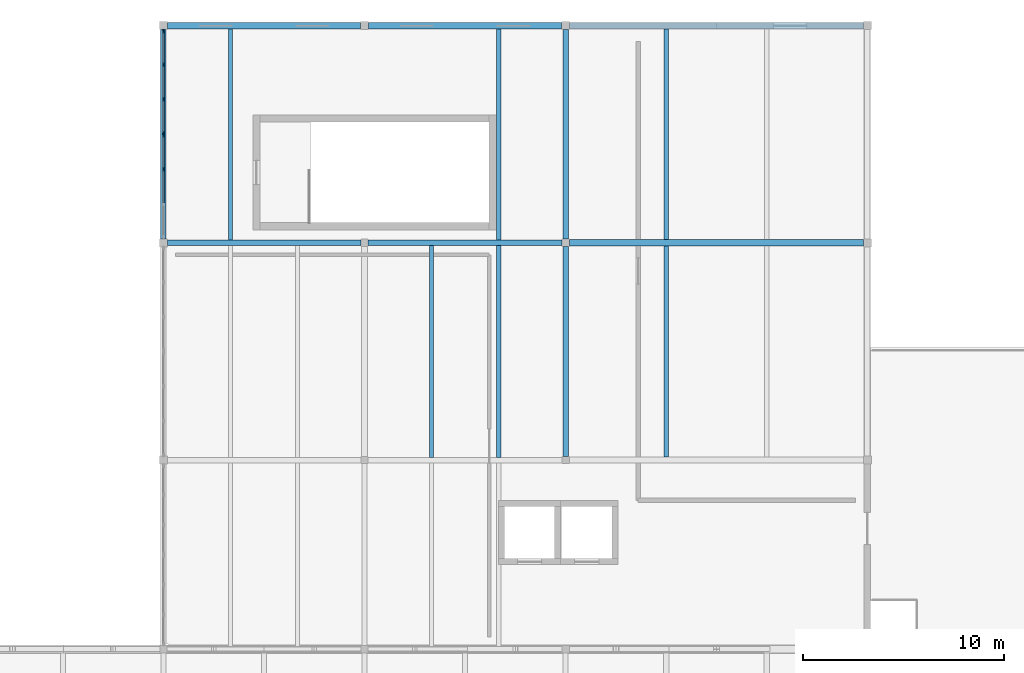
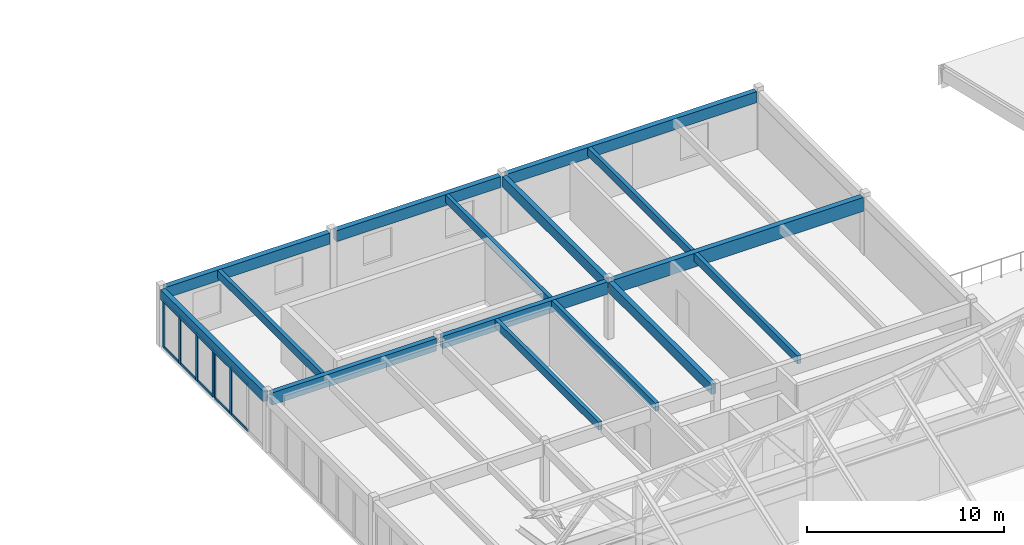
# One storey, part 15 of 40: 16 members, 15 beams, 2 elements without a shape of their own.
"""IFC4 building model written with IfcOpenShell, lengths in metres."""

import ifcopenshell
import ifcopenshell.guid

model = None  # the IFC model being written
_history = None  # IfcOwnerHistory: only IFC2X3 demands one
_inside = {}  # id of a spatial element -> (the spatial element, [elements in it])
_under = {}  # id of a project, library or spatial element -> (it, [spatial elements below it])
_declared = {}  # id of a project -> (the project, [libraries it declares])
_typed = {}  # id of a type object -> (the type object, [elements of that type])
_made_of = {}  # id of a material, layer set ... -> (it, [elements and type objects made of it])


def new_model(schema):
    """Start an empty IFC model of exactly this schema.

    Asked for "IFC4X3", IfcOpenShell would pick the latest addendum, in which some entities
    have other attributes; the version numbers below select the first issue.
    IFC2X3 requires an IfcOwnerHistory on every rooted entity: one is made here for all.
    """
    global model, _history
    if schema == "IFC4X3":
        model = ifcopenshell.file(schema_version=(4, 3, 0, 0))
    else:
        model = ifcopenshell.file(schema=schema)
    _inside.clear()
    _under.clear()
    _declared.clear()
    _typed.clear()
    _made_of.clear()
    _history = None
    if model.schema == "IFC2X3":
        org = make("IfcOrganization", Name="unknown")
        user = make(
            "IfcPersonAndOrganization",
            ThePerson=make("IfcPerson", FamilyName="unknown"),
            TheOrganization=org,
        )
        app = make(
            "IfcApplication",
            ApplicationDeveloper=org,
            Version="unknown",
            ApplicationFullName="unknown",
            ApplicationIdentifier="unknown",
        )
        _history = make(
            "IfcOwnerHistory",
            OwningUser=user,
            OwningApplication=app,
            ChangeAction="ADDED",
            CreationDate=0,
        )
    return model


def make(cls, **values):
    """One entity of the class cls with the attributes given. An attribute that is None is left unset."""
    return model.create_entity(
        cls, **{name: value for name, value in values.items() if value is not None}
    )


def rooted(cls, **values):
    """An entity with a GlobalId (a new one), such as an element, a storey or a relation."""
    return make(cls, GlobalId=ifcopenshell.guid.new(), OwnerHistory=_history, **values)


def si_unit(unit_type, name, prefix=None):
    """IfcSIUnit, for example si_unit("LENGTHUNIT", "METRE", prefix="MILLI")."""
    return make("IfcSIUnit", UnitType=unit_type, Prefix=prefix, Name=name)


def assignment(units):
    """IfcUnitAssignment: the units of a project."""
    return None if units is None else make("IfcUnitAssignment", Units=units)


def point(xyz):
    """IfcCartesianPoint."""
    return None if xyz is None else make("IfcCartesianPoint", Coordinates=xyz)


def direction(xyz):
    """IfcDirection."""
    return None if xyz is None else make("IfcDirection", DirectionRatios=xyz)


def frame(location, z_axis=None, x_axis=None):
    """IfcAxis2Placement3D, a coordinate frame: its origin and axes. An axis left out is left unset."""
    return make(
        "IfcAxis2Placement3D",
        Location=point(location),
        Axis=direction(z_axis),
        RefDirection=direction(x_axis),
    )


def frame_2d(location, x_axis=None):
    """IfcAxis2Placement2D, a coordinate frame in the plane: its origin and x axis."""
    return make(
        "IfcAxis2Placement2D", Location=point(location), RefDirection=direction(x_axis)
    )


def origin():
    """The frame at (0, 0, 0) with its axes left unset."""
    return frame((0.0, 0.0, 0.0))


def origin_2d():
    """The frame at (0, 0) in the plane with its x axis left unset."""
    return frame_2d((0.0, 0.0))


def place(relative_to, where):
    """IfcLocalPlacement: puts the frame where relative to a parent placement (None: the world)."""
    return make(
        "IfcLocalPlacement", PlacementRelTo=relative_to, RelativePlacement=where
    )


def context(
    kind, dimensions, precision=None, world=None, true_north=None, identifier=None
):
    """IfcGeometricRepresentationContext, for example the 3D "Model" context."""
    return make(
        "IfcGeometricRepresentationContext",
        ContextIdentifier=identifier,
        ContextType=kind,
        CoordinateSpaceDimension=dimensions,
        Precision=precision,
        WorldCoordinateSystem=world,
        TrueNorth=true_north,
    )


def subcontext(parent, identifier, kind, view, scale=None):
    """IfcGeometricRepresentationSubContext, for example "Body" below "Model"."""
    return make(
        "IfcGeometricRepresentationSubContext",
        ContextIdentifier=identifier,
        ContextType=kind,
        ParentContext=parent,
        TargetScale=scale,
        TargetView=view,
    )


def project(units=None, contexts=None):
    """IfcProject with its units and contexts."""
    return rooted(
        "IfcProject",
        Name="project",
        RepresentationContexts=contexts,
        UnitsInContext=assignment(units),
    )


def spatial(cls, under=None, at=None, **own):
    """A site, building, storey or space (cls), placed at a placement, below another one or the project."""
    s = rooted(cls, ObjectPlacement=at, **own)
    if under is not None:
        _under.setdefault(under.id(), (under, []))[1].append(s)
    return s


def profile(cls, at=None, kind="AREA", **sizes):
    """A parametric profile (cls). Its sizes go by their IFC names, for example OverallWidth=200.0."""
    return make(cls, ProfileType=kind, Position=at, **sizes)


def rectangle(**sizes):
    """IfcRectangleProfileDef."""
    return profile("IfcRectangleProfileDef", **sizes)


def extrude(swept, where, along, depth):
    """IfcExtrudedAreaSolid: the profile swept, set in the frame where, extruded along a direction by depth."""
    return make(
        "IfcExtrudedAreaSolid",
        SweptArea=swept,
        Position=where,
        ExtrudedDirection=direction(along),
        Depth=depth,
    )


def shape(context_of_items, identifier, shape_type, items):
    """IfcShapeRepresentation: the items that make up one representation, for example the "Body"."""
    return make(
        "IfcShapeRepresentation",
        ContextOfItems=context_of_items,
        RepresentationIdentifier=identifier,
        RepresentationType=shape_type,
        Items=items,
    )


def material(Name=None, Category=None):
    """IfcMaterial."""
    return make("IfcMaterial", Name=Name, Category=Category)


def material_profile(
    of_material, cross_section, Name=None, Category=None, Priority=None
):
    """IfcMaterialProfile: a cross section and its material."""
    return make(
        "IfcMaterialProfile",
        Name=Name,
        Material=of_material,
        Profile=cross_section,
        Priority=Priority,
        Category=Category,
    )


def profile_set(profiles, Name=None, composite=None):
    """IfcMaterialProfileSet."""
    return make(
        "IfcMaterialProfileSet",
        Name=Name,
        MaterialProfiles=profiles,
        CompositeProfile=composite,
    )


def made_of(thing, what):
    """Note that an element or type object is made of a material, layer set ...; save() writes the relation."""
    if what is not None:
        _made_of.setdefault(what.id(), (what, []))[1].append(thing)
    return thing


def type_object(cls, material=None, **own):
    """A type object (cls), such as IfcWallType, which elements share."""
    return made_of(rooted(cls, **own), material)


def element(
    cls,
    number,
    at=None,
    inside=None,
    cuts=None,
    type_object=None,
    material=None,
    context=None,
    identifier="Body",
    shape_type=None,
    held_by="IfcProductDefinitionShape",
    body=None,
    shapes=None,
    **own,
):
    """One element of the class cls, such as IfcWall. Its Tag is "e" and its number.

    at: its placement. inside: the storey or other place that contains it. cuts: it is an
    opening in that element (IfcRelVoidsElement). A single representation is given by context,
    identifier, shape_type and body (its items); several are given by shapes. held_by: the class
    of the entity that holds the representations. save() writes the other relations.
    """
    e = rooted(cls, Tag="e%d" % number, ObjectPlacement=at, **own)
    if body is not None:
        shapes = [shape(context, identifier, shape_type, body)]
    if shapes is not None:
        e.Representation = make(held_by, Representations=shapes)
    if inside is not None:
        _inside.setdefault(inside.id(), (inside, []))[1].append(e)
    if cuts is not None:
        rooted(
            "IfcRelVoidsElement", RelatingBuildingElement=cuts, RelatedOpeningElement=e
        )
    if type_object is not None:
        _typed.setdefault(type_object.id(), (type_object, []))[1].append(e)
    return made_of(e, material)


def aggregate(whole, parts):
    """IfcRelAggregates: a whole, such as a stair, and the parts it consists of."""
    return rooted("IfcRelAggregates", RelatingObject=whole, RelatedObjects=parts)


def save(model, path):
    """Write the relations noted so far, then the file.

    IfcRelAggregates (storeys below a building ...), IfcRelContainedInSpatialStructure (elements
    in a storey), IfcRelDefinesByType, IfcRelAssociatesMaterial and IfcRelDeclares: one each for
    every whole, place, type object, material and project.
    """
    for whole, parts in _under.values():
        aggregate(whole, parts)
    for where, things in _inside.values():
        rooted(
            "IfcRelContainedInSpatialStructure",
            RelatedElements=things,
            RelatingStructure=where,
        )
    for kind, things in _typed.values():
        rooted("IfcRelDefinesByType", RelatedObjects=things, RelatingType=kind)
    for what, things in _made_of.values():
        rooted("IfcRelAssociatesMaterial", RelatedObjects=things, RelatingMaterial=what)
    for by, libraries in _declared.values():
        rooted("IfcRelDeclares", RelatingContext=by, RelatedDefinitions=libraries)
    model.write(path)


model = new_model("IFC4")

# Units and contexts
model_context = context("Model", 3, precision=1e-05, world=origin(), true_north=direction((0.0, 1.0)))
body_context = subcontext(model_context, "Body", "Model", "MODEL_VIEW")
ifc_project = project(units=[si_unit("LENGTHUNIT", "METRE"), si_unit("AREAUNIT", "SQUARE_METRE"), si_unit("VOLUMEUNIT", "CUBIC_METRE"), si_unit("PLANEANGLEUNIT", "RADIAN"), si_unit("MASSUNIT", "GRAM", prefix="KILO")], contexts=[model_context])

# Site, building, storey
site_placement = place(None, origin())
site = spatial("IfcSite", under=ifc_project, at=site_placement, CompositionType="ELEMENT")
building_placement = place(site_placement, origin())
building = spatial("IfcBuilding", under=site, at=building_placement, Name="Veldera Park Congress Hotel", CompositionType="ELEMENT")
storey_placement = place(building_placement, frame((0.0, 0.0, 16.199951171875)))
storey = spatial("IfcBuildingStorey", under=building, at=storey_placement, Name="L03", CompositionType="ELEMENT", Elevation=16.199951171875)

# Beams
ifc_material_1 = material(Name="Glulam GL28h (NDS 24F-V4)", Category="wood")
ifc_material_profile_1 = material_profile(ifc_material_1, rectangle(XDim=0.280029296875, YDim=0.639892578125, at=origin_2d()), Name="GL28h 280x640")
ifc_profile_set_1 = profile_set([ifc_material_profile_1], Name="Glulam GL28h (NDS 24F-V4)")
beam_type_1 = type_object("IfcBeamType", Name="BM-GL640", PredefinedType="BEAM", material=ifc_profile_set_1)
beam_1_placement = place(storey_placement, frame((-47.39990234375, 47.39501953125, 3.239990234375), z_axis=(0.0, 1.0, 0.0), x_axis=(-1.0, 0.0, 0.0)))
element("IfcBeam", 1, at=beam_1_placement, inside=storey, type_object=beam_type_1, Name="L03 Girder BM-GL640 1141", PredefinedType="BEAM", context=body_context, shape_type="SweptSolid", body=[
    extrude(rectangle(XDim=0.280029296875, YDim=0.639892578125, at=origin_2d()), origin(), (0.0, 0.0, 1.0), 10.409912109375),
])
beam_2_placement = place(storey_placement, frame((-27.39990234375, 36.580078125, 3.239990234375), z_axis=(0.0, 1.0, 0.0), x_axis=(-1.0, 0.0, 0.0)))
element("IfcBeam", 2, at=beam_2_placement, inside=storey, type_object=beam_type_1, Name="L03 Girder BM-GL640 1144", PredefinedType="BEAM", context=body_context, shape_type="SweptSolid", body=[
    extrude(rectangle(XDim=0.280029296875, YDim=0.639892578125, at=origin_2d()), origin(), (0.0, 0.0, 1.0), 10.43994140625),
])
beam_3_placement = place(storey_placement, frame((-27.39990234375, 47.3798828125, 3.239990234375), z_axis=(0.0, 1.0, 0.0), x_axis=(-1.0, 0.0, 0.0)))
element("IfcBeam", 3, at=beam_3_placement, inside=storey, type_object=beam_type_1, Name="L03 Girder BM-GL640 1145", PredefinedType="BEAM", context=body_context, shape_type="SweptSolid", body=[
    extrude(rectangle(XDim=0.280029296875, YDim=0.639892578125, at=origin_2d()), origin(), (0.0, 0.0, 1.0), 10.425048828125),
])
ifc_material_profile_2 = material_profile(ifc_material_1, rectangle(XDim=0.31494140625, YDim=0.679931640625, at=origin_2d()), Name="GL28h 315x680")
ifc_profile_set_2 = profile_set([ifc_material_profile_2], Name="Glulam GL28h (NDS 24F-V4)")
beam_type_2 = type_object("IfcBeamType", Name="BM-GL640E", PredefinedType="BEAM", material=ifc_profile_set_2)
for number, where, z_axis, x_axis, name in (
    (4, (-47.205078125, 58.0, 3.219970703125), (1.0, 0.0, 0.0), (0.0, 1.0, 0.0), "L03 Girder BM-GL640E 1130"),
    (5, (-37.205078125, 58.0, 3.219970703125), (1.0, 0.0, 0.0), (0.0, 1.0, 0.0), "L03 Girder BM-GL640E 1131"),
):
    element("IfcBeam", number, at=place(storey_placement, frame(where, z_axis=z_axis, x_axis=x_axis)), inside=storey, type_object=beam_type_2, Name=name, PredefinedType="BEAM", context=body_context, shape_type="SweptSolid", body=[
        extrude(rectangle(XDim=0.31494140625, YDim=0.679931640625, at=origin_2d()), origin(), (0.0, 0.0, 1.0), 9.610107421875),
    ])
beam_4_placement = place(storey_placement, frame((-27.205078125, 58.0, 3.219970703125), z_axis=(1.0, 0.0, 0.0), x_axis=(0.0, 1.0, 0.0)))
element("IfcBeam", 6, at=beam_4_placement, inside=storey, type_object=beam_type_2, Name="L03 Girder BM-GL640E 1132", PredefinedType="BEAM", context=body_context, shape_type="SweptSolid", body=[
    extrude(rectangle(XDim=0.31494140625, YDim=0.679931640625, at=origin_2d()), origin(), (0.0, 0.0, 1.0), 14.610107421875),
])
ifc_material_profile_3 = material_profile(ifc_material_1, rectangle(XDim=0.280029296875, YDim=0.760009765625, at=origin_2d()), Name="GL28h 280x760")
ifc_profile_set_3 = profile_set([ifc_material_profile_3], Name="Glulam GL28h (NDS 24F-V4)")
beam_type_3 = type_object("IfcBeamType", Name="BM-GL760", PredefinedType="BEAM", material=ifc_profile_set_3)
beam_5_placement = place(storey_placement, frame((-47.205078125, 47.199951171875, 3.179931640625), z_axis=(1.0, 0.0, 0.0), x_axis=(0.0, 1.0, 0.0)))
element("IfcBeam", 7, at=beam_5_placement, inside=storey, type_object=beam_type_3, Name="L03 Girder BM-GL760 1123", PredefinedType="BEAM", context=body_context, shape_type="SweptSolid", body=[
    extrude(rectangle(XDim=0.280029296875, YDim=0.760009765625, at=origin_2d()), origin(), (0.0, 0.0, 1.0), 9.625),
])
beam_6_placement = place(storey_placement, frame((-37.219970703125, 47.199951171875, 3.179931640625), z_axis=(1.0, 0.0, 0.0), x_axis=(0.0, 1.0, 0.0)))
element("IfcBeam", 8, at=beam_6_placement, inside=storey, type_object=beam_type_3, Name="L03 Girder BM-GL760 1124", PredefinedType="BEAM", context=body_context, shape_type="SweptSolid", body=[
    extrude(rectangle(XDim=0.280029296875, YDim=0.760009765625, at=origin_2d()), origin(), (0.0, 0.0, 1.0), 9.639892578125),
])
ifc_material_profile_4 = material_profile(ifc_material_1, rectangle(XDim=0.31494140625, YDim=0.860107421875, at=origin_2d()), Name="GL28h 315x860")
ifc_profile_set_4 = profile_set([ifc_material_profile_4], Name="Glulam GL28h (NDS 24F-V4)")
beam_type_4 = type_object("IfcBeamType", Name="BM-GL860", PredefinedType="BEAM", material=ifc_profile_set_4)
beam_7_placement = place(storey_placement, frame((-27.219970703125, 47.199951171875, 3.130126953125), z_axis=(1.0, 0.0, 0.0), x_axis=(0.0, 1.0, 0.0)))
element("IfcBeam", 9, at=beam_7_placement, inside=storey, type_object=beam_type_4, Name="L03 Girder BM-GL860 1125", PredefinedType="BEAM", context=body_context, shape_type="SweptSolid", body=[
    extrude(rectangle(XDim=0.31494140625, YDim=0.860107421875, at=origin_2d()), origin(), (0.0, 0.0, 1.0), 14.625),
])

# Curtain wall, members
ifc_material_2 = material(Name="Low-E Triple Insulating Glass Unit (SHGC 0.22)", Category="glass")
curtain_wall_type = type_object("IfcCurtainWallType", Name="CW-CON", PredefinedType="NOTDEFINED", material=ifc_material_2)
curtain_wall_1_placement = place(storey_placement, origin())
curtain_wall_1 = element("IfcCurtainWall", 10, at=curtain_wall_1_placement, inside=storey, type_object=curtain_wall_type, Name="L03 Curtain Wall CW3-NWW-L03-079", PredefinedType="NOTDEFINED")
ifc_material_3 = material(Name="Anodised Aluminium Alloy 6063-T6", Category="aluminium")
ifc_material_profile_5 = material_profile(ifc_material_3, rectangle(XDim=0.074951171875, YDim=0.199951171875, at=origin_2d()), Name="ALU 75x200")
ifc_profile_set_5 = profile_set([ifc_material_profile_5], Name="Anodised Aluminium Alloy 6063-T6")
member_type_1 = type_object("IfcMemberType", Name="CWM-200", PredefinedType="MULLION", material=ifc_profile_set_5)
member_1_placement = place(storey_placement, frame((-47.39990234375, 57.7275390625, 0.0), z_axis=(0.0, 0.0, 1.0), x_axis=(1.0, 0.0, 0.0)))
member_1 = element("IfcMember", 11, at=member_1_placement, type_object=member_type_1, Name="CW-CON mullion 1", PredefinedType="MULLION", context=body_context, shape_type="SweptSolid", body=[
    extrude(rectangle(XDim=0.074951171875, YDim=0.199951171875, at=origin_2d()), origin(), (0.0, 0.0, 1.0), 2.9150390625),
])
member_2_placement = place(storey_placement, frame((-47.39990234375, 56.04833984375, 0.0), z_axis=(0.0, 0.0, 1.0), x_axis=(1.0, 0.0, 0.0)))
member_2 = element("IfcMember", 12, at=member_2_placement, type_object=member_type_1, Name="CW-CON mullion 2", PredefinedType="MULLION", context=body_context, shape_type="SweptSolid", body=[
    extrude(rectangle(XDim=0.074951171875, YDim=0.199951171875, at=origin_2d()), origin(), (0.0, 0.0, 1.0), 2.9150390625),
])
member_3_placement = place(storey_placement, frame((-47.39990234375, 54.331787109375, 0.0), z_axis=(0.0, 0.0, 1.0), x_axis=(1.0, 0.0, 0.0)))
member_3 = element("IfcMember", 13, at=member_3_placement, type_object=member_type_1, Name="CW-CON mullion 3", PredefinedType="MULLION", context=body_context, shape_type="SweptSolid", body=[
    extrude(rectangle(XDim=0.074951171875, YDim=0.199951171875, at=origin_2d()), origin(), (0.0, 0.0, 1.0), 2.9150390625),
])
member_4_placement = place(storey_placement, frame((-47.39990234375, 52.652587890625, 0.0), z_axis=(0.0, 0.0, 1.0), x_axis=(1.0, 0.0, 0.0)))
member_4 = element("IfcMember", 14, at=member_4_placement, type_object=member_type_1, Name="CW-CON mullion 4", PredefinedType="MULLION", context=body_context, shape_type="SweptSolid", body=[
    extrude(rectangle(XDim=0.074951171875, YDim=0.199951171875, at=origin_2d()), origin(), (0.0, 0.0, 1.0), 2.9150390625),
])

curtain_wall_2_placement = place(storey_placement, origin())
curtain_wall_2 = element("IfcCurtainWall", 15, at=curtain_wall_2_placement, inside=storey, type_object=curtain_wall_type, Name="L03 Curtain Wall CW3-NWW-L03-080", PredefinedType="NOTDEFINED")
member_5_placement = place(storey_placement, frame((-47.39990234375, 52.547607421875, 0.0), z_axis=(0.0, 0.0, 1.0), x_axis=(1.0, 0.0, 0.0)))
member_5 = element("IfcMember", 16, at=member_5_placement, type_object=member_type_1, Name="CW-CON mullion 1", PredefinedType="MULLION", context=body_context, shape_type="SweptSolid", body=[
    extrude(rectangle(XDim=0.074951171875, YDim=0.199951171875, at=origin_2d()), origin(), (0.0, 0.0, 1.0), 2.9150390625),
])
member_6_placement = place(storey_placement, frame((-47.39990234375, 50.868408203125, 0.0), z_axis=(0.0, 0.0, 1.0), x_axis=(1.0, 0.0, 0.0)))
member_6 = element("IfcMember", 17, at=member_6_placement, type_object=member_type_1, Name="CW-CON mullion 2", PredefinedType="MULLION", context=body_context, shape_type="SweptSolid", body=[
    extrude(rectangle(XDim=0.074951171875, YDim=0.199951171875, at=origin_2d()), origin(), (0.0, 0.0, 1.0), 2.9150390625),
])

# Member
ifc_material_profile_6 = material_profile(ifc_material_3, rectangle(XDim=0.074951171875, YDim=0.14990234375, at=origin_2d()), Name="ALU 75x150")
ifc_profile_set_6 = profile_set([ifc_material_profile_6], Name="Anodised Aluminium Alloy 6063-T6")
member_type_2 = type_object("IfcMemberType", Name="CWT-150", PredefinedType="USERDEFINED", material=ifc_profile_set_6)
member_7_placement = place(storey_placement, frame((-47.39990234375, 57.68994140625, 0.03759765625), z_axis=(0.0, -1.0, 0.0), x_axis=(1.0, 0.0, 0.0)))
member_7 = element("IfcMember", 18, at=member_7_placement, type_object=member_type_2, Name="CW-CON transom 1.1", ObjectType="TRANSOM", PredefinedType="USERDEFINED", context=body_context, shape_type="SweptSolid", body=[
    extrude(rectangle(XDim=0.074951171875, YDim=0.14990234375, at=origin_2d()), origin(), (0.0, 0.0, 1.0), 1.60400390625),
])

member_8_placement = place(storey_placement, frame((-47.39990234375, 57.68994140625, 2.87744140625), z_axis=(0.0, -1.0, 0.0), x_axis=(1.0, 0.0, 0.0)))
member_8 = element("IfcMember", 19, at=member_8_placement, type_object=member_type_2, Name="CW-CON transom 1.2", ObjectType="TRANSOM", PredefinedType="USERDEFINED", context=body_context, shape_type="SweptSolid", body=[
    extrude(rectangle(XDim=0.074951171875, YDim=0.14990234375, at=origin_2d()), origin(), (0.0, 0.0, 1.0), 1.60400390625),
])

member_9_placement = place(storey_placement, frame((-47.39990234375, 56.0107421875, 0.03759765625), z_axis=(0.0, -1.0, 0.0), x_axis=(1.0, 0.0, 0.0)))
member_9 = element("IfcMember", 20, at=member_9_placement, type_object=member_type_2, Name="CW-CON transom 2.1", ObjectType="TRANSOM", PredefinedType="USERDEFINED", context=body_context, shape_type="SweptSolid", body=[
    extrude(rectangle(XDim=0.074951171875, YDim=0.14990234375, at=origin_2d()), origin(), (0.0, 0.0, 1.0), 1.6416015625),
])

member_10_placement = place(storey_placement, frame((-47.39990234375, 56.0107421875, 2.87744140625), z_axis=(0.0, -1.0, 0.0), x_axis=(1.0, 0.0, 0.0)))
member_10 = element("IfcMember", 21, at=member_10_placement, type_object=member_type_2, Name="CW-CON transom 2.2", ObjectType="TRANSOM", PredefinedType="USERDEFINED", context=body_context, shape_type="SweptSolid", body=[
    extrude(rectangle(XDim=0.074951171875, YDim=0.14990234375, at=origin_2d()), origin(), (0.0, 0.0, 1.0), 1.6416015625),
])

member_11_placement = place(storey_placement, frame((-47.39990234375, 54.294189453125, 0.03759765625), z_axis=(0.0, -1.0, 0.0), x_axis=(1.0, 0.0, 0.0)))
member_11 = element("IfcMember", 22, at=member_11_placement, type_object=member_type_2, Name="CW-CON transom 3.1", ObjectType="TRANSOM", PredefinedType="USERDEFINED", context=body_context, shape_type="SweptSolid", body=[
    extrude(rectangle(XDim=0.074951171875, YDim=0.14990234375, at=origin_2d()), origin(), (0.0, 0.0, 1.0), 1.604248046875),
])

member_12_placement = place(storey_placement, frame((-47.39990234375, 54.294189453125, 2.87744140625), z_axis=(0.0, -1.0, 0.0), x_axis=(1.0, 0.0, 0.0)))
member_12 = element("IfcMember", 23, at=member_12_placement, type_object=member_type_2, Name="CW-CON transom 3.2", ObjectType="TRANSOM", PredefinedType="USERDEFINED", context=body_context, shape_type="SweptSolid", body=[
    extrude(rectangle(XDim=0.074951171875, YDim=0.14990234375, at=origin_2d()), origin(), (0.0, 0.0, 1.0), 1.604248046875),
])

aggregate(curtain_wall_1, [member_1, member_2, member_3, member_4, member_7, member_8, member_9, member_10, member_11, member_12])

member_13_placement = place(storey_placement, frame((-47.39990234375, 52.510009765625, 0.03759765625), z_axis=(0.0, -1.0, 0.0), x_axis=(1.0, 0.0, 0.0)))
member_13 = element("IfcMember", 24, at=member_13_placement, type_object=member_type_2, Name="CW-CON transom 1.1", ObjectType="TRANSOM", PredefinedType="USERDEFINED", context=body_context, shape_type="SweptSolid", body=[
    extrude(rectangle(XDim=0.074951171875, YDim=0.14990234375, at=origin_2d()), origin(), (0.0, 0.0, 1.0), 1.604248046875),
])

member_14_placement = place(storey_placement, frame((-47.39990234375, 52.510009765625, 2.87744140625), z_axis=(0.0, -1.0, 0.0), x_axis=(1.0, 0.0, 0.0)))
member_14 = element("IfcMember", 25, at=member_14_placement, type_object=member_type_2, Name="CW-CON transom 1.2", ObjectType="TRANSOM", PredefinedType="USERDEFINED", context=body_context, shape_type="SweptSolid", body=[
    extrude(rectangle(XDim=0.074951171875, YDim=0.14990234375, at=origin_2d()), origin(), (0.0, 0.0, 1.0), 1.604248046875),
])

member_15_placement = place(storey_placement, frame((-47.39990234375, 50.830810546875, 0.03759765625), z_axis=(0.0, -1.0, 0.0), x_axis=(1.0, 0.0, 0.0)))
member_15 = element("IfcMember", 26, at=member_15_placement, type_object=member_type_2, Name="CW-CON transom 2.1", ObjectType="TRANSOM", PredefinedType="USERDEFINED", context=body_context, shape_type="SweptSolid", body=[
    extrude(rectangle(XDim=0.074951171875, YDim=0.14990234375, at=origin_2d()), origin(), (0.0, 0.0, 1.0), 1.6416015625),
])

member_16_placement = place(storey_placement, frame((-47.39990234375, 50.830810546875, 2.87744140625), z_axis=(0.0, -1.0, 0.0), x_axis=(1.0, 0.0, 0.0)))
member_16 = element("IfcMember", 27, at=member_16_placement, type_object=member_type_2, Name="CW-CON transom 2.2", ObjectType="TRANSOM", PredefinedType="USERDEFINED", context=body_context, shape_type="SweptSolid", body=[
    extrude(rectangle(XDim=0.074951171875, YDim=0.14990234375, at=origin_2d()), origin(), (0.0, 0.0, 1.0), 1.6416015625),
])

aggregate(curtain_wall_2, [member_5, member_6, member_13, member_14, member_15, member_16])

# Beams
ifc_material_profile_7 = material_profile(ifc_material_1, rectangle(XDim=0.215087890625, YDim=0.4951171875, at=origin_2d()), Name="GL28h 215x495")
ifc_profile_set_7 = profile_set([ifc_material_profile_7], Name="Glulam GL28h (NDS 24F-V4)")
beam_type_5 = type_object("IfcBeamType", Name="JST-GL495", PredefinedType="JOIST", material=ifc_profile_set_7)
for number, where, z_axis, x_axis, name in (
    (28, (-34.066650390625, 36.5400390625, 3.3125), (0.0, 1.0, 0.0), (-1.0, 0.0, 0.0), "L03 Floor Joist JST-GL495 1237"),
    (29, (-30.7333984375, 36.5400390625, 3.3125), (0.0, 1.0, 0.0), (-1.0, 0.0, 0.0), "L03 Floor Joist JST-GL495 1238"),
):
    element("IfcBeam", number, at=place(storey_placement, frame(where, z_axis=z_axis, x_axis=x_axis)), inside=storey, type_object=beam_type_5, Name=name, PredefinedType="JOIST", context=body_context, shape_type="SweptSolid", body=[
        extrude(rectangle(XDim=0.215087890625, YDim=0.4951171875, at=origin_2d()), origin(), (0.0, 0.0, 1.0), 10.52001953125),
    ])
beam_8_placement = place(storey_placement, frame((-22.39990234375, 36.5576171875, 3.3125), z_axis=(0.0, 1.0, 0.0), x_axis=(-1.0, 0.0, 0.0)))
element("IfcBeam", 30, at=beam_8_placement, inside=storey, type_object=beam_type_5, Name="L03 Floor Joist JST-GL495 1239", PredefinedType="JOIST", context=body_context, shape_type="SweptSolid", body=[
    extrude(rectangle(XDim=0.215087890625, YDim=0.4951171875, at=origin_2d()), origin(), (0.0, 0.0, 1.0), 10.48486328125),
])
for number, where, z_axis, x_axis, name in (
    (31, (-44.066650390625, 47.340087890625, 3.3125), (0.0, 1.0, 0.0), (-1.0, 0.0, 0.0), "L03 Floor Joist JST-GL495 1245"),
    (32, (-30.7333984375, 47.340087890625, 3.3125), (0.0, 1.0, 0.0), (-1.0, 0.0, 0.0), "L03 Floor Joist JST-GL495 1246"),
):
    element("IfcBeam", number, at=place(storey_placement, frame(where, z_axis=z_axis, x_axis=x_axis)), inside=storey, type_object=beam_type_5, Name=name, PredefinedType="JOIST", context=body_context, shape_type="SweptSolid", body=[
        extrude(rectangle(XDim=0.215087890625, YDim=0.4951171875, at=origin_2d()), origin(), (0.0, 0.0, 1.0), 10.50244140625),
    ])
beam_9_placement = place(storey_placement, frame((-22.39990234375, 47.357421875, 3.3125), z_axis=(0.0, 1.0, 0.0), x_axis=(-1.0, 0.0, 0.0)))
element("IfcBeam", 33, at=beam_9_placement, inside=storey, type_object=beam_type_5, Name="L03 Floor Joist JST-GL495 1247", PredefinedType="JOIST", context=body_context, shape_type="SweptSolid", body=[
    extrude(rectangle(XDim=0.215087890625, YDim=0.4951171875, at=origin_2d()), origin(), (0.0, 0.0, 1.0), 10.485107421875),
])

save(model, "model.ifc")
